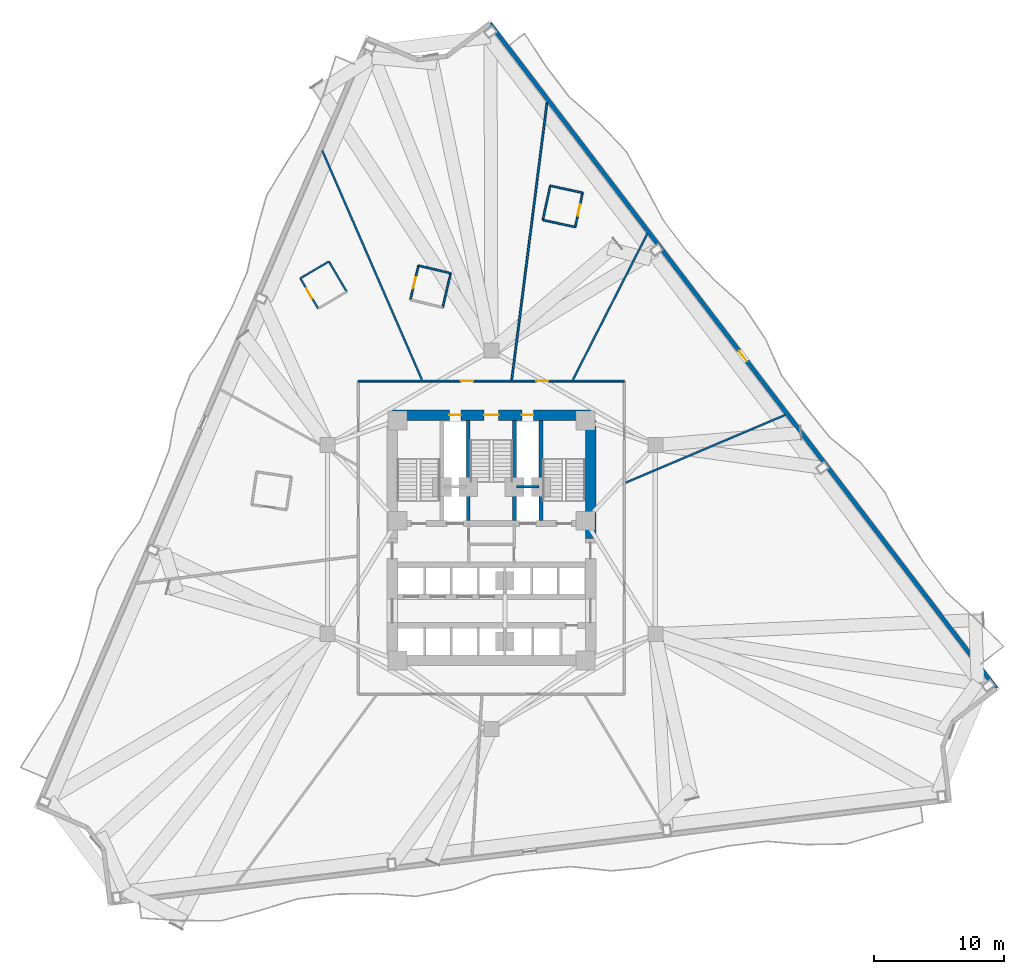
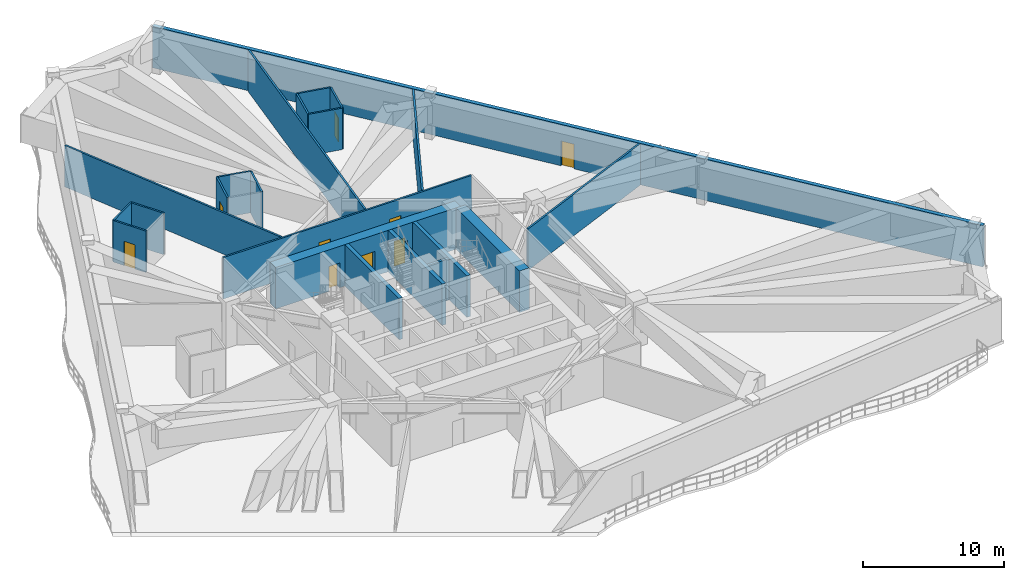
# One storey, part 9 of 14: 22 walls, 9 doors, 9 openings.
"""IFC4 building model written with IfcOpenShell, lengths in metres."""

from ifc_helpers import new_model, si_unit, direction, frame, frame_2d, origin, place, context, subcontext, project, spatial, rectangle, extrude, material, layer, layer_set, type_object, element, fill, save


model = new_model("IFC4")

# Units and contexts
model_context = context("Model", 3, precision=1e-05, world=origin(), true_north=direction((0.0, 1.0)))
body_context = subcontext(model_context, "Body", "Model", "MODEL_VIEW")
ifc_project = project(units=[si_unit("LENGTHUNIT", "METRE"), si_unit("AREAUNIT", "SQUARE_METRE"), si_unit("VOLUMEUNIT", "CUBIC_METRE"), si_unit("PLANEANGLEUNIT", "RADIAN"), si_unit("MASSUNIT", "GRAM", prefix="KILO")], contexts=[model_context])

# Site, building, storey
site_placement = place(None, origin())
site = spatial("IfcSite", under=ifc_project, at=site_placement, CompositionType="ELEMENT")
building_placement = place(site_placement, origin())
building = spatial("IfcBuilding", under=site, at=building_placement, Name="Apsidion Concourse Tower", CompositionType="ELEMENT")
storey_placement = place(building_placement, frame((0.0, 0.0, 91.0)))
storey = spatial("IfcBuildingStorey", under=building, at=storey_placement, Name="L20", CompositionType="ELEMENT", Elevation=91.0)

# Wall, opening, door
ifc_material_1 = material(Name="Precast concrete C40/50", Category="concrete")
ifc_layer_1 = layer(ifc_material_1, 0.320068359375)
ifc_layer_set_1 = layer_set([ifc_layer_1], Name="Precast concrete C40/50")
wall_type_1 = type_object("IfcWallType", Name="WL-EXT-320", PredefinedType="STANDARD", material=ifc_layer_set_1)
wall_1_placement = place(storey_placement, frame((-0.115234375, 39.555419921875, 0.0), z_axis=(0.0, 0.0, 1.0), x_axis=(0.605877389385, -0.795558036243, 0.0)))
wall_1 = element("IfcWall", 1, at=wall_1_placement, inside=storey, type_object=wall_type_1, Name="L20 Precast Stone Facade Wall 01", PredefinedType="STANDARD", context=body_context, shape_type="SweptSolid", body=[
    extrude(rectangle(XDim=64.058349609375, YDim=0.320068359375, at=frame_2d((32.029296875, 0.0))), origin(), (0.0, 0.0, 1.0), 3.60009765625),
])
opening_1_placement = place(wall_1_placement, frame((31.529296875, 0.0, 0.0)))
opening_1 = element("IfcOpeningElement", 2, at=opening_1_placement, cuts=wall_1, Name="Opening D-T1L", PredefinedType="OPENING", context=body_context, shape_type="SweptSolid", body=[
    extrude(rectangle(XDim=1.0, YDim=2.14990234375, at=frame_2d((0.5, 1.074951171875))), frame((0.0, 0.169921875, 0.0), z_axis=(0.0, -1.0, 0.0), x_axis=(1.0, 0.0, 0.0)), (0.0, 0.0, 1.0), 0.340087890625),
])
ifc_material_2 = material(Name="Anodised aluminium EN AW-6063 T6", Category="aluminium")
door_type_1 = type_object("IfcDoorType", Name="DR-TER-1022L", OperationType="SINGLE_SWING_LEFT", PredefinedType="DOOR", material=ifc_material_2)
door_1_placement = place(opening_1_placement, origin())
door_1 = element("IfcDoor", 3, at=door_1_placement, inside=storey, type_object=door_type_1, Name="L20 Balcony Access Door 3", OperationType="SINGLE_SWING_LEFT", OverallHeight=2.14990234375, OverallWidth=1.0, PredefinedType="DOOR", context=body_context, shape_type="SweptSolid", body=[
    extrude(rectangle(XDim=1.0, YDim=2.14990234375, at=frame_2d((0.5, 1.074951171875))), frame((0.0, 0.02490234375, 0.0), z_axis=(0.0, -1.0, 0.0), x_axis=(1.0, 0.0, 0.0)), (0.0, 0.0, 1.0), 0.050048828125),
])
fill(opening_1, door_1)

ifc_material_3 = material(Name="Gypsum plasterboard partition")
ifc_layer_2 = layer(ifc_material_3, 0.139892578125)
ifc_layer_set_2 = layer_set([ifc_layer_2], Name="Gypsum plasterboard partition")
wall_type_2 = type_object("IfcWallType", Name="WL-INT-PAR-140", PredefinedType="PARTITIONING", material=ifc_layer_set_2)
wall_2_placement = place(storey_placement, frame((6.42724609375, 23.965087890625, 0.0), z_axis=(0.0, 0.0, 1.0), x_axis=(0.209640647801, 0.977778501906, 0.0)))
wall_2 = element("IfcWall", 4, at=wall_2_placement, inside=storey, type_object=wall_type_2, Name="L20 Interior Partition WL-L20-POD-ENS05-S1", PredefinedType="PARTITIONING", context=body_context, shape_type="SweptSolid", body=[
    extrude(rectangle(XDim=2.690185546875, YDim=0.139892578125, at=frame_2d((1.34521484375, 0.0))), origin(), (0.0, 0.0, 1.0), 3.60009765625),
])
opening_2_placement = place(wall_2_placement, frame((0.905029296875, 0.0, 0.0)))
opening_2 = element("IfcOpeningElement", 5, at=opening_2_placement, cuts=wall_2, Name="Opening D-03R", PredefinedType="OPENING", context=body_context, shape_type="SweptSolid", body=[
    extrude(rectangle(XDim=0.8798828125, YDim=2.10009765625, at=frame_2d((0.43994140625, 1.050048828125))), frame((0.0, 0.080078125, 0.0), z_axis=(0.0, -1.0, 0.0), x_axis=(1.0, 0.0, 0.0)), (0.0, 0.0, 1.0), 0.159912109375),
])
door_type_2 = type_object("IfcDoorType", Name="DR-INT-D03R", OperationType="SINGLE_SWING_RIGHT", PredefinedType="DOOR", material=ifc_material_2)
door_2_placement = place(opening_2_placement, origin())
door_2 = element("IfcDoor", 6, at=door_2_placement, inside=storey, type_object=door_type_2, Name="L20 Guest En-Suite Bathroom Door ENS05", OperationType="SINGLE_SWING_RIGHT", OverallHeight=2.10009765625, OverallWidth=0.8798828125, PredefinedType="DOOR", context=body_context, shape_type="SweptSolid", body=[
    extrude(rectangle(XDim=0.8798828125, YDim=2.10009765625, at=frame_2d((0.43994140625, 1.050048828125))), frame((0.0, 0.02490234375, 0.0), z_axis=(0.0, -1.0, 0.0), x_axis=(1.0, 0.0, 0.0)), (0.0, 0.0, 1.0), 0.050048828125),
])
fill(opening_2, door_2)

# Walls
wall_3_placement = place(storey_placement, frame((6.9912109375, 26.595458984375, 0.0), z_axis=(0.0, 0.0, 1.0), x_axis=(-0.977781310632, 0.209627547281, 0.0)))
element("IfcWall", 7, at=wall_3_placement, inside=storey, type_object=wall_type_2, Name="L20 Interior Partition WL-L20-POD-ENS05-S2", PredefinedType="PARTITIONING", context=body_context, shape_type="SweptSolid", body=[
    extrude(rectangle(XDim=2.5400390625, YDim=0.139892578125, at=frame_2d((1.27001953125, 0.0))), origin(), (0.0, 0.0, 1.0), 3.60009765625),
])
wall_4_placement = place(storey_placement, frame((4.507568359375, 27.1279296875, 0.0), z_axis=(0.0, 0.0, 1.0), x_axis=(-0.209640647801, -0.977778501906, 0.0)))
element("IfcWall", 8, at=wall_4_placement, inside=storey, type_object=wall_type_2, Name="L20 Interior Partition WL-L20-POD-ENS05-S3", PredefinedType="PARTITIONING", context=body_context, shape_type="SweptSolid", body=[
    extrude(rectangle(XDim=2.690185546875, YDim=0.139892578125, at=frame_2d((1.34521484375, 0.0))), origin(), (0.0, 0.0, 1.0), 3.60009765625),
])
wall_5_placement = place(storey_placement, frame((3.943603515625, 24.49755859375, 0.0), z_axis=(0.0, 0.0, 1.0), x_axis=(0.977781310632, -0.209627547281, 0.0)))
element("IfcWall", 9, at=wall_5_placement, inside=storey, type_object=wall_type_2, Name="L20 Interior Partition WL-L20-POD-ENS05-S4", PredefinedType="PARTITIONING", context=body_context, shape_type="SweptSolid", body=[
    extrude(rectangle(XDim=2.5400390625, YDim=0.139892578125, at=frame_2d((1.27001953125, 0.0))), origin(), (0.0, 0.0, 1.0), 3.60009765625),
])
wall_6_placement = place(storey_placement, frame((-3.73779296875, 17.80419921875, 0.0), z_axis=(0.0, 0.0, 1.0), x_axis=(0.229980131636, 0.973195324204, 0.0)))
element("IfcWall", 10, at=wall_6_placement, inside=storey, type_object=wall_type_2, Name="L20 Interior Partition WL-L20-POD-ENS06-S1", PredefinedType="PARTITIONING", context=body_context, shape_type="SweptSolid", body=[
    extrude(rectangle(XDim=2.68994140625, YDim=0.139892578125, at=frame_2d((1.344970703125, 0.0))), origin(), (0.0, 0.0, 1.0), 3.60009765625),
])
wall_7_placement = place(storey_placement, frame((-3.119140625, 20.422119140625, 0.0), z_axis=(0.0, 0.0, 1.0), x_axis=(-0.973161916217, 0.23012145668, 0.0)))
element("IfcWall", 11, at=wall_7_placement, inside=storey, type_object=wall_type_2, Name="L20 Interior Partition WL-L20-POD-ENS06-S2", PredefinedType="PARTITIONING", context=body_context, shape_type="SweptSolid", body=[
    extrude(rectangle(XDim=2.539794921875, YDim=0.139892578125, at=frame_2d((1.27001953125, 0.0))), origin(), (0.0, 0.0, 1.0), 3.60009765625),
])

# Wall, opening, door
wall_8_placement = place(storey_placement, frame((-5.5908203125, 21.006591796875, 0.0), z_axis=(0.0, 0.0, 1.0), x_axis=(-0.230066086436, -0.973175007834, 0.0)))
wall_8 = element("IfcWall", 12, at=wall_8_placement, inside=storey, type_object=wall_type_2, Name="L20 Interior Partition WL-L20-POD-ENS06-S3", PredefinedType="PARTITIONING", context=body_context, shape_type="SweptSolid", body=[
    extrude(rectangle(XDim=2.690185546875, YDim=0.139892578125, at=frame_2d((1.34521484375, 0.0))), origin(), (0.0, 0.0, 1.0), 3.60009765625),
])
opening_3_placement = place(wall_8_placement, frame((0.905029296875, 0.0, 0.0)))
opening_3 = element("IfcOpeningElement", 13, at=opening_3_placement, cuts=wall_8, Name="Opening D-03L", PredefinedType="OPENING", context=body_context, shape_type="SweptSolid", body=[
    extrude(rectangle(XDim=0.8798828125, YDim=2.10009765625, at=frame_2d((0.43994140625, 1.050048828125))), frame((0.0, 0.080078125, 0.0), z_axis=(0.0, -1.0, 0.0), x_axis=(1.0, 0.0, 0.0)), (0.0, 0.0, 1.0), 0.159912109375),
])
door_type_3 = type_object("IfcDoorType", Name="DR-INT-D03L", OperationType="SINGLE_SWING_LEFT", PredefinedType="DOOR", material=ifc_material_2)
door_3_placement = place(opening_3_placement, origin())
door_3 = element("IfcDoor", 14, at=door_3_placement, inside=storey, type_object=door_type_3, Name="L20 Guest En-Suite Bathroom Door ENS06", OperationType="SINGLE_SWING_LEFT", OverallHeight=2.10009765625, OverallWidth=0.8798828125, PredefinedType="DOOR", context=body_context, shape_type="SweptSolid", body=[
    extrude(rectangle(XDim=0.8798828125, YDim=2.10009765625, at=frame_2d((0.43994140625, 1.050048828125))), frame((0.0, 0.02490234375, 0.0), z_axis=(0.0, -1.0, 0.0), x_axis=(1.0, 0.0, 0.0)), (0.0, 0.0, 1.0), 0.050048828125),
])
fill(opening_3, door_3)

# Walls
wall_9_placement = place(storey_placement, frame((-11.093994140625, 19.005859375, 0.0), z_axis=(0.0, 0.0, 1.0), x_axis=(-0.50748416013, 0.861661086052, 0.0)))
element("IfcWall", 15, at=wall_9_placement, inside=storey, type_object=wall_type_2, Name="L20 Interior Partition WL-L20-POD-ENS07-S1", PredefinedType="PARTITIONING", context=body_context, shape_type="SweptSolid", body=[
    extrude(rectangle(XDim=2.689697265625, YDim=0.139892578125, at=frame_2d((1.3447265625, 0.0))), origin(), (0.0, 0.0, 1.0), 3.60009765625),
])
wall_10_placement = place(storey_placement, frame((-12.458984375, 21.323486328125, 0.0), z_axis=(0.0, 0.0, 1.0), x_axis=(-0.861662303567, -0.507482092898, 0.0)))
element("IfcWall", 16, at=wall_10_placement, inside=storey, type_object=wall_type_2, Name="L20 Interior Partition WL-L20-POD-ENS07-S2", PredefinedType="PARTITIONING", context=body_context, shape_type="SweptSolid", body=[
    extrude(rectangle(XDim=2.5400390625, YDim=0.139892578125, at=frame_2d((1.27001953125, 0.0))), origin(), (0.0, 0.0, 1.0), 3.60009765625),
])

# Wall, opening, door
wall_11_placement = place(storey_placement, frame((-14.647705078125, 20.034423828125, 0.0), z_axis=(0.0, 0.0, 1.0), x_axis=(0.507511857062, -0.86164477306, 0.0)))
wall_11 = element("IfcWall", 17, at=wall_11_placement, inside=storey, type_object=wall_type_2, Name="L20 Interior Partition WL-L20-POD-ENS07-S3", PredefinedType="PARTITIONING", context=body_context, shape_type="SweptSolid", body=[
    extrude(rectangle(XDim=2.68994140625, YDim=0.139892578125, at=frame_2d((1.344970703125, 0.0))), origin(), (0.0, 0.0, 1.0), 3.60009765625),
])
opening_4_placement = place(wall_11_placement, frame((0.905029296875, 0.0, 0.0)))
opening_4 = element("IfcOpeningElement", 18, at=opening_4_placement, cuts=wall_11, Name="Opening D-03R", PredefinedType="OPENING", context=body_context, shape_type="SweptSolid", body=[
    extrude(rectangle(XDim=0.8798828125, YDim=2.10009765625, at=frame_2d((0.43994140625, 1.050048828125))), frame((0.0, 0.080078125, 0.0), z_axis=(0.0, -1.0, 0.0), x_axis=(1.0, 0.0, 0.0)), (0.0, 0.0, 1.0), 0.159912109375),
])
door_4_placement = place(opening_4_placement, origin())
door_4 = element("IfcDoor", 19, at=door_4_placement, inside=storey, type_object=door_type_2, Name="L20 Guest En-Suite Bathroom Door ENS07", OperationType="SINGLE_SWING_RIGHT", OverallHeight=2.10009765625, OverallWidth=0.8798828125, PredefinedType="DOOR", context=body_context, shape_type="SweptSolid", body=[
    extrude(rectangle(XDim=0.8798828125, YDim=2.10009765625, at=frame_2d((0.43994140625, 1.050048828125))), frame((0.0, 0.02490234375, 0.0), z_axis=(0.0, -1.0, 0.0), x_axis=(1.0, 0.0, 0.0)), (0.0, 0.0, 1.0), 0.050048828125),
])
fill(opening_4, door_4)

# Wall, openings, doors
ifc_layer_3 = layer(ifc_material_3, 0.14990234375)
ifc_layer_set_3 = layer_set([ifc_layer_3], Name="Gypsum plasterboard partition")
wall_type_3 = type_object("IfcWallType", Name="WL-INT-PAR-150", PredefinedType="PARTITIONING", material=ifc_layer_set_3)
wall_12_placement = place(storey_placement, frame((-10.199951171875, 12.14990234375, 0.0), z_axis=(0.0, 0.0, 1.0), x_axis=(1.0, 0.0, 0.0)))
wall_12 = element("IfcWall", 20, at=wall_12_placement, inside=storey, type_object=wall_type_3, Name="L20 Interior Partition WL-L20-CORR-01", PredefinedType="PARTITIONING", context=body_context, shape_type="SweptSolid", body=[
    extrude(rectangle(XDim=20.39990234375, YDim=0.14990234375, at=frame_2d((10.199951171875, 0.0))), origin(), (0.0, 0.0, 1.0), 3.60009765625),
])
opening_5_placement = place(wall_12_placement, frame((13.619384765625, 0.0, 0.0)))
opening_5 = element("IfcOpeningElement", 21, at=opening_5_placement, cuts=wall_12, Name="Opening D-01R", PredefinedType="OPENING", context=body_context, shape_type="SweptSolid", body=[
    extrude(rectangle(XDim=0.949951171875, YDim=2.14990234375, at=frame_2d((0.47509765625, 1.074951171875))), frame((0.0, 0.0849609375, 0.0), z_axis=(0.0, -1.0, 0.0), x_axis=(1.0, 0.0, 0.0)), (0.0, 0.0, 1.0), 0.169921875),
])
opening_6_placement = place(wall_12_placement, frame((7.843994140625, 0.0, 0.0)))
opening_6 = element("IfcOpeningElement", 22, at=opening_6_placement, cuts=wall_12, Name="Opening D-01L", PredefinedType="OPENING", context=body_context, shape_type="SweptSolid", body=[
    extrude(rectangle(XDim=0.949951171875, YDim=2.14990234375, at=frame_2d((0.47509765625, 1.074951171875))), frame((0.0, 0.0849609375, 0.0), z_axis=(0.0, -1.0, 0.0), x_axis=(1.0, 0.0, 0.0)), (0.0, 0.0, 1.0), 0.169921875),
])
ifc_material_4 = material(Name="Brushed stainless steel 316", Category="steel")
door_type_4 = type_object("IfcDoorType", Name="DR-INT-D01L", OperationType="SINGLE_SWING_LEFT", PredefinedType="DOOR", material=ifc_material_4)
door_5_placement = place(opening_6_placement, origin())
door_5 = element("IfcDoor", 23, at=door_5_placement, inside=storey, type_object=door_type_4, Name="L20 Corridor Entry Door 07", OperationType="SINGLE_SWING_LEFT", OverallHeight=2.14990234375, OverallWidth=0.949951171875, PredefinedType="DOOR", context=body_context, shape_type="SweptSolid", body=[
    extrude(rectangle(XDim=0.949951171875, YDim=2.14990234375, at=frame_2d((0.47509765625, 1.074951171875))), frame((0.0, 0.02490234375, 0.0), z_axis=(0.0, -1.0, 0.0), x_axis=(1.0, 0.0, 0.0)), (0.0, 0.0, 1.0), 0.050048828125),
])
fill(opening_6, door_5)
door_type_5 = type_object("IfcDoorType", Name="DR-INT-D01R", OperationType="SINGLE_SWING_RIGHT", PredefinedType="DOOR", material=ifc_material_4)
door_6_placement = place(opening_5_placement, origin())
door_6 = element("IfcDoor", 24, at=door_6_placement, inside=storey, type_object=door_type_5, Name="L20 Corridor Entry Door 06", OperationType="SINGLE_SWING_RIGHT", OverallHeight=2.14990234375, OverallWidth=0.949951171875, PredefinedType="DOOR", context=body_context, shape_type="SweptSolid", body=[
    extrude(rectangle(XDim=0.949951171875, YDim=2.14990234375, at=frame_2d((0.47509765625, 1.074951171875))), frame((0.0, 0.02490234375, 0.0), z_axis=(0.0, -1.0, 0.0), x_axis=(1.0, 0.0, 0.0)), (0.0, 0.0, 1.0), 0.050048828125),
])
fill(opening_5, door_6)

# Walls
wall_13_placement = place(storey_placement, frame((10.304931640625, 4.374267578125, 0.0), z_axis=(0.0, 0.0, 1.0), x_axis=(0.920506948121, 0.390726193723, 0.0)))
element("IfcWall", 25, at=wall_13_placement, inside=storey, type_object=wall_type_3, Name="L20 Interior Partition WL-L20-RAD-01-1", PredefinedType="PARTITIONING", context=body_context, shape_type="SweptSolid", body=[
    extrude(rectangle(XDim=13.260986328125, YDim=0.14990234375, at=frame_2d((6.63037109375, 0.0))), origin(), (0.0, 0.0, 1.0), 3.60009765625),
])
wall_14_placement = place(storey_placement, frame((6.244140625, 12.2548828125, 0.0), z_axis=(0.0, 0.0, 1.0), x_axis=(0.453994561764, 0.891004454472, 0.0)))
element("IfcWall", 26, at=wall_14_placement, inside=storey, type_object=wall_type_3, Name="L20 Interior Partition WL-L20-RAD-02-1", PredefinedType="PARTITIONING", context=body_context, shape_type="SweptSolid", body=[
    extrude(rectangle(XDim=12.548583984375, YDim=0.14990234375, at=frame_2d((6.2744140625, 0.0))), origin(), (0.0, 0.0, 1.0), 3.60009765625),
])
wall_15_placement = place(storey_placement, frame((1.55908203125, 12.2548828125, 0.0), z_axis=(0.0, 0.0, 1.0), x_axis=(0.126199048386, 0.992004939598, 0.0)))
element("IfcWall", 27, at=wall_15_placement, inside=storey, type_object=wall_type_3, Name="L20 Interior Partition WL-L20-RAD-03-1", PredefinedType="PARTITIONING", context=body_context, shape_type="SweptSolid", body=[
    extrude(rectangle(XDim=21.43310546875, YDim=0.14990234375, at=frame_2d((10.716552734375, 0.0))), origin(), (0.0, 0.0, 1.0), 3.60009765625),
])
wall_16_placement = place(storey_placement, frame((-5.32861328125, 12.2548828125, 0.0), z_axis=(0.0, 0.0, 1.0), x_axis=(-0.39874335858, 0.917062557293, 0.0)))
element("IfcWall", 28, at=wall_16_placement, inside=storey, type_object=wall_type_3, Name="L20 Interior Partition WL-L20-RAD-04-1", PredefinedType="PARTITIONING", context=body_context, shape_type="SweptSolid", body=[
    extrude(rectangle(XDim=19.1513671875, YDim=0.14990234375, at=frame_2d((9.57568359375, 0.0))), origin(), (0.0, 0.0, 1.0), 3.60009765625),
])
ifc_layer_4 = layer(ifc_material_3, 0.199951171875)
ifc_layer_set_4 = layer_set([ifc_layer_4], Name="Gypsum plasterboard partition")
wall_type_4 = type_object("IfcWallType", Name="WL-INT-PAR-200", PredefinedType="PARTITIONING", material=ifc_layer_set_4)
wall_17_placement = place(storey_placement, frame((1.919921875, 4.050048828125, 0.0), z_axis=(0.0, 0.0, 1.0), x_axis=(1.0, 0.0, 0.0)))
element("IfcWall", 29, at=wall_17_placement, inside=storey, type_object=wall_type_4, Name="L20 Interior Partition WL-L20-FF2-N", PredefinedType="PARTITIONING", context=body_context, shape_type="SweptSolid", body=[
    extrude(rectangle(XDim=1.72998046875, YDim=0.199951171875, at=frame_2d((0.864990234375, 0.0))), origin(), (0.0, 0.0, 1.0), 3.60009765625),
])
ifc_material_5 = material(Name="Concrete C50/60", Category="concrete")
ifc_layer_5 = layer(ifc_material_5, 0.300048828125)
ifc_layer_set_5 = layer_set([ifc_layer_5], Name="Concrete C50/60")
wall_type_5 = type_object("IfcWallType", Name="WL-SH-300", PredefinedType="SHEAR", material=ifc_layer_set_5)
for number, where, z_axis, x_axis, name in (
    (30, (-1.77490234375, 1.449951171875, 0.0), (0.0, 0.0, 1.0), (0.0, 1.0, 0.0), "L20 Central Core Shear Wall V2"),
    (31, (1.77490234375, 1.449951171875, 0.0), (0.0, 0.0, 1.0), (0.0, 1.0, 0.0), "L20 Central Core Shear Wall V3"),
    (32, (3.800048828125, 1.449951171875, 0.0), (0.0, 0.0, 1.0), (0.0, 1.0, 0.0), "L20 Central Core Shear Wall V4"),
):
    element("IfcWall", number, at=place(storey_placement, frame(where, z_axis=z_axis, x_axis=x_axis)), inside=storey, type_object=wall_type_5, Name=name, PredefinedType="SHEAR", context=body_context, shape_type="SweptSolid", body=[
        extrude(rectangle(XDim=7.699951171875, YDim=0.300048828125, at=frame_2d((3.85009765625, 0.0))), origin(), (0.0, 0.0, 1.0), 3.60009765625),
    ])

# Wall, openings, doors
ifc_material_6 = material(Name="Concrete C60/75", Category="concrete")
ifc_layer_6 = layer(ifc_material_6, 0.800048828125)
ifc_layer_set_6 = layer_set([ifc_layer_6], Name="Concrete C60/75")
wall_type_6 = type_object("IfcWallType", Name="WL-SH-800", PredefinedType="SHEAR", material=ifc_layer_set_6)
wall_18_placement = place(storey_placement, frame((-7.60009765625, 9.550048828125, 0.0), z_axis=(0.0, 0.0, 1.0), x_axis=(1.0, 0.0, 0.0)))
wall_18 = element("IfcWall", 33, at=wall_18_placement, inside=storey, type_object=wall_type_6, Name="L20 Central Core Shear Wall N", PredefinedType="SHEAR", context=body_context, shape_type="SweptSolid", body=[
    extrude(rectangle(XDim=15.2001953125, YDim=0.800048828125, at=frame_2d((7.60009765625, 0.0))), origin(), (0.0, 0.0, 1.0), 3.60009765625),
])
opening_7_placement = place(wall_18_placement, frame((7.050048828125, 0.0, 0.0)))
opening_7 = element("IfcOpeningElement", 34, at=opening_7_placement, cuts=wall_18, Name="Opening D-STL", PredefinedType="OPENING", context=body_context, shape_type="SweptSolid", body=[
    extrude(rectangle(XDim=1.10009765625, YDim=2.14990234375, at=frame_2d((0.550048828125, 1.074951171875))), frame((0.0, 0.41015625, 0.0), z_axis=(0.0, -1.0, 0.0), x_axis=(1.0, 0.0, 0.0)), (0.0, 0.0, 1.0), 0.820068359375),
])
opening_8_placement = place(wall_18_placement, frame((4.3798828125, 0.0, 0.0)))
opening_8 = element("IfcOpeningElement", 35, at=opening_8_placement, cuts=wall_18, Name="Opening D-05L", PredefinedType="OPENING", context=body_context, shape_type="SweptSolid", body=[
    extrude(rectangle(XDim=0.8798828125, YDim=2.14990234375, at=frame_2d((0.43994140625, 1.074951171875))), frame((0.0, 0.41015625, 0.0), z_axis=(0.0, -1.0, 0.0), x_axis=(1.0, 0.0, 0.0)), (0.0, 0.0, 1.0), 0.820068359375),
])
opening_9_placement = place(wall_18_placement, frame((9.93994140625, 0.0, 0.0)))
opening_9 = element("IfcOpeningElement", 36, at=opening_9_placement, cuts=wall_18, Name="Opening D-05R", PredefinedType="OPENING", context=body_context, shape_type="SweptSolid", body=[
    extrude(rectangle(XDim=0.8798828125, YDim=2.14990234375, at=frame_2d((0.43994140625, 1.074951171875))), frame((0.0, 0.41015625, 0.0), z_axis=(0.0, -1.0, 0.0), x_axis=(1.0, 0.0, 0.0)), (0.0, 0.0, 1.0), 0.820068359375),
])
door_type_6 = type_object("IfcDoorType", Name="DR-INT-D05L", OperationType="SINGLE_SWING_LEFT", PredefinedType="DOOR", material=ifc_material_4)
door_7_placement = place(opening_8_placement, origin())
door_7 = element("IfcDoor", 37, at=door_7_placement, inside=storey, type_object=door_type_6, Name="L20 Electrical Riser Shaft Access Door", OperationType="SINGLE_SWING_LEFT", OverallHeight=2.14990234375, OverallWidth=0.8798828125, PredefinedType="DOOR", context=body_context, shape_type="SweptSolid", body=[
    extrude(rectangle(XDim=0.8798828125, YDim=2.14990234375, at=frame_2d((0.43994140625, 1.074951171875))), frame((0.0, 0.02490234375, 0.0), z_axis=(0.0, -1.0, 0.0), x_axis=(1.0, 0.0, 0.0)), (0.0, 0.0, 1.0), 0.050048828125),
])
fill(opening_8, door_7)
door_type_7 = type_object("IfcDoorType", Name="DR-INT-D05R", OperationType="SINGLE_SWING_RIGHT", PredefinedType="DOOR", material=ifc_material_4)
door_8_placement = place(opening_9_placement, origin())
door_8 = element("IfcDoor", 38, at=door_8_placement, inside=storey, type_object=door_type_7, Name="L20 Mechanical Riser Shaft Access Door", OperationType="SINGLE_SWING_RIGHT", OverallHeight=2.14990234375, OverallWidth=0.8798828125, PredefinedType="DOOR", context=body_context, shape_type="SweptSolid", body=[
    extrude(rectangle(XDim=0.8798828125, YDim=2.14990234375, at=frame_2d((0.43994140625, 1.074951171875))), frame((0.0, 0.02490234375, 0.0), z_axis=(0.0, -1.0, 0.0), x_axis=(1.0, 0.0, 0.0)), (0.0, 0.0, 1.0), 0.050048828125),
])
fill(opening_9, door_8)
door_type_8 = type_object("IfcDoorType", Name="DR-INT-ST1L", OperationType="SINGLE_SWING_LEFT", PredefinedType="DOOR", material=ifc_material_4)
door_9_placement = place(opening_7_placement, origin())
door_9 = element("IfcDoor", 39, at=door_9_placement, inside=storey, type_object=door_type_8, Name="L20 Core Exit Stair ST3 Door", OperationType="SINGLE_SWING_LEFT", OverallHeight=2.14990234375, OverallWidth=1.10009765625, PredefinedType="DOOR", context=body_context, shape_type="SweptSolid", body=[
    extrude(rectangle(XDim=1.10009765625, YDim=2.14990234375, at=frame_2d((0.550048828125, 1.074951171875))), frame((0.0, 0.02490234375, 0.0), z_axis=(0.0, -1.0, 0.0), x_axis=(1.0, 0.0, 0.0)), (0.0, 0.0, 1.0), 0.050048828125),
])
fill(opening_7, door_9)

# Wall
wall_19_placement = place(storey_placement, frame((7.60009765625, 0.10009765625, 0.0), z_axis=(0.0, 0.0, 1.0), x_axis=(0.0, 1.0, 0.0)))
element("IfcWall", 40, at=wall_19_placement, inside=storey, type_object=wall_type_6, Name="L20 Central Core Shear Wall EN", PredefinedType="SHEAR", context=body_context, shape_type="SweptSolid", body=[
    extrude(rectangle(XDim=9.0498046875, YDim=0.800048828125, at=frame_2d((4.52490234375, 0.0))), origin(), (0.0, 0.0, 1.0), 3.60009765625),
])

save(model, "model.ifc")
